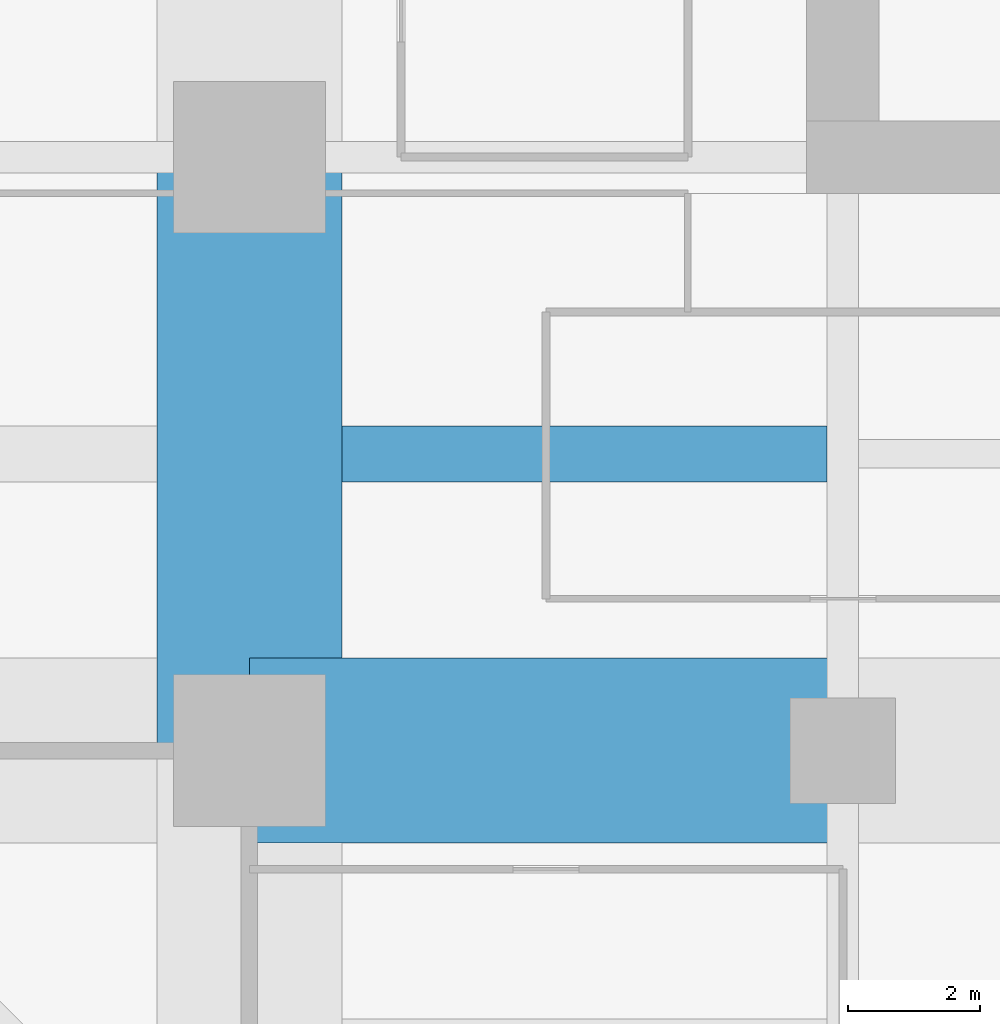
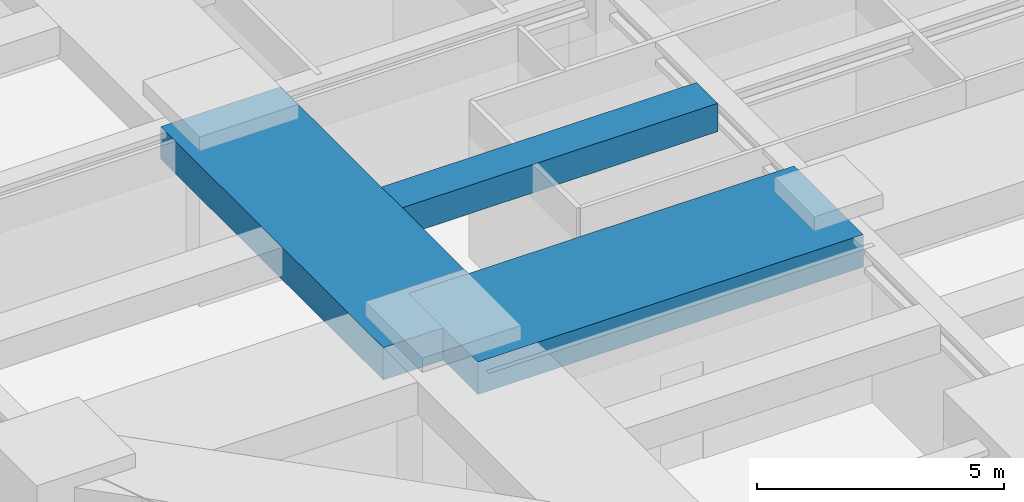
# One storey, part 6 of 39: 3 beams.
"""IFC4 building model written with IfcOpenShell, lengths in metres."""

from ifc_helpers import new_model, si_unit, direction, frame, origin, origin_2d, place, context, subcontext, project, spatial, rectangle, extrude, material, material_profile, profile_set, type_object, element, save


model = new_model("IFC4")

# Units and contexts
model_context = context("Model", 3, precision=1e-05, world=origin(), true_north=direction((0.0, 1.0)))
body_context = subcontext(model_context, "Body", "Model", "MODEL_VIEW")
ifc_project = project(units=[si_unit("LENGTHUNIT", "METRE"), si_unit("AREAUNIT", "SQUARE_METRE"), si_unit("VOLUMEUNIT", "CUBIC_METRE"), si_unit("PLANEANGLEUNIT", "RADIAN"), si_unit("MASSUNIT", "GRAM", prefix="KILO")], contexts=[model_context])

# Site, building, storey
site_placement = place(None, origin())
site = spatial("IfcSite", under=ifc_project, at=site_placement, CompositionType="ELEMENT")
building_placement = place(site_placement, origin())
building = spatial("IfcBuilding", under=site, at=building_placement, Name="Zorevar Civic Tower", CompositionType="ELEMENT")
storey_placement = place(building_placement, frame((0.0, 0.0, 230.199951171875)))
storey = spatial("IfcBuildingStorey", under=building, at=storey_placement, Name="L56", CompositionType="ELEMENT", Elevation=230.199951171875)

# Beams
ifc_material_1 = material(Name="Concrete C50/60", Category="concrete")
ifc_material_profile_1 = material_profile(ifc_material_1, rectangle(XDim=2.800048828125, YDim=0.800048828125, at=origin_2d()), Name="RC 2800x800")
ifc_profile_set_1 = profile_set([ifc_material_profile_1], Name="Concrete C50/60")
beam_type_1 = type_object("IfcBeamType", Name="Beam RC 2800x800", PredefinedType="BEAM", material=ifc_profile_set_1)
for number, where, z_axis, x_axis, name in (
    (1, (9.0, 9.0, 3.449951171875), (1.0, 0.0, 0.0), (0.0, 1.0, 0.0), "Girder L57"),
    (2, (9.0, 9.0, 3.449951171875), (0.0, 1.0, 0.0), (-1.0, 0.0, 0.0), "Girder L57"),
):
    element("IfcBeam", number, at=place(storey_placement, frame(where, z_axis=z_axis, x_axis=x_axis)), inside=storey, type_object=beam_type_1, Name=name, PredefinedType="BEAM", context=body_context, shape_type="SweptSolid", body=[
        extrude(rectangle(XDim=2.800048828125, YDim=0.800048828125, at=origin_2d()), origin(), (0.0, 0.0, 1.0), 9.0),
    ])
ifc_material_2 = material(Name="Concrete C50/60", Category="concrete")
ifc_material_profile_2 = material_profile(ifc_material_2, rectangle(XDim=0.85009765625, YDim=0.699951171875, at=origin_2d()), Name="RC 850x700")
ifc_profile_set_2 = profile_set([ifc_material_profile_2], Name="Concrete C50/60")
beam_type_2 = type_object("IfcBeamType", Name="Beam RC 850x700", PredefinedType="BEAM", material=ifc_profile_set_2)
beam_placement = place(storey_placement, frame((10.39990234375, 13.5, 3.5), z_axis=(1.0, 0.0, 0.0), x_axis=(0.0, 1.0, 0.0)))
element("IfcBeam", 3, at=beam_placement, inside=storey, type_object=beam_type_2, Name="Secondary beam L57", PredefinedType="BEAM", context=body_context, shape_type="SweptSolid", body=[
    extrude(rectangle(XDim=0.85009765625, YDim=0.699951171875, at=origin_2d()), origin(), (0.0, 0.0, 1.0), 7.362060546875),
])

save(model, "model.ifc")
